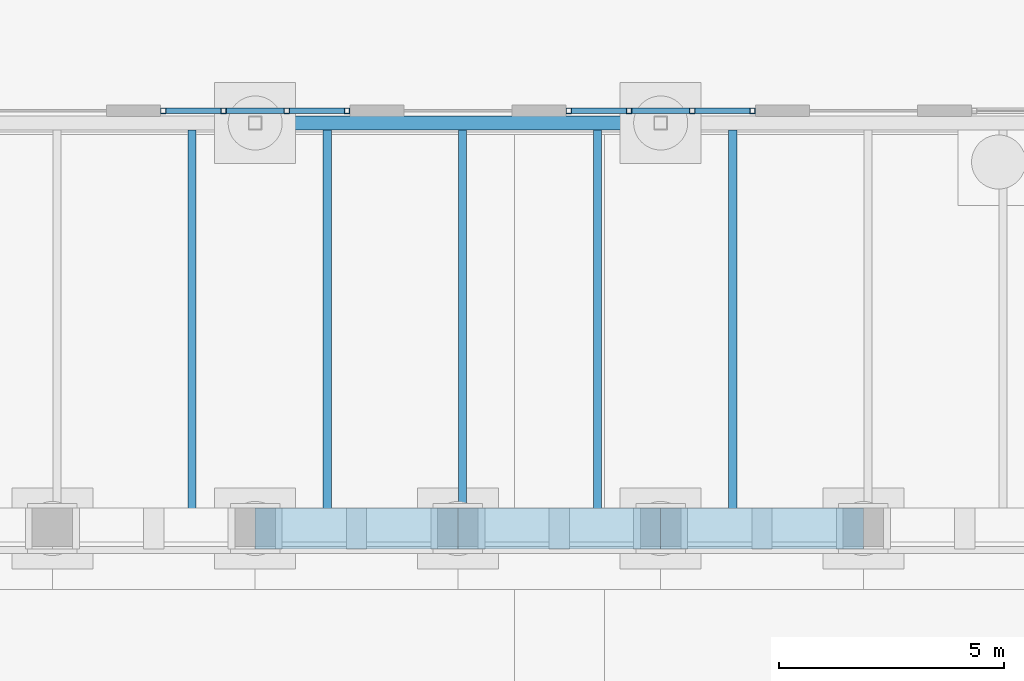
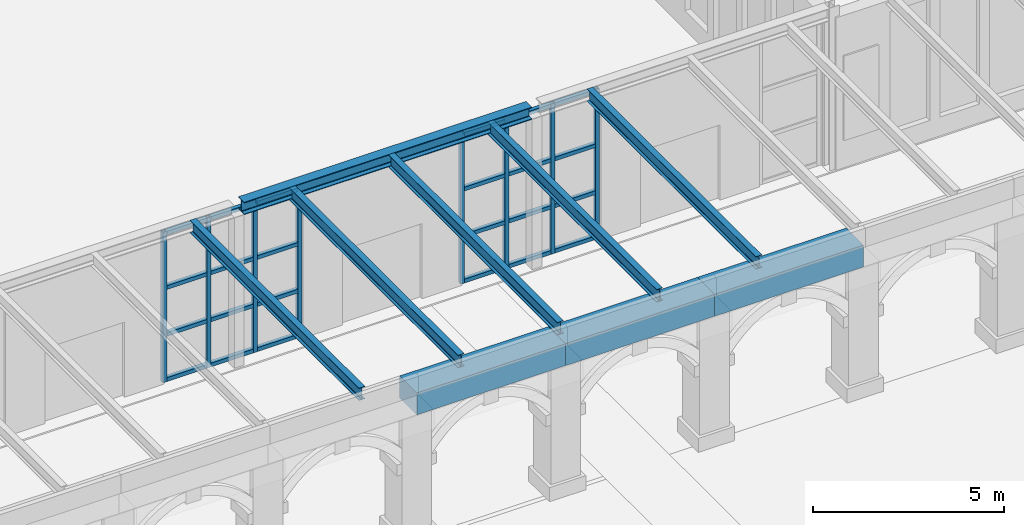
# One storey, part 42 of 168: 32 members, 9 beams, 2 elements without a shape of their own.
"""IFC4 building model written with IfcOpenShell, lengths in metres."""

from ifc_helpers import new_model, si_unit, direction, frame, origin, origin_2d, place, context, subcontext, project, spatial, rectangle, hollow_rectangle, i_section, extrude, material, material_profile, profile_set, type_object, element, aggregate, save


model = new_model("IFC4")

# Units and contexts
model_context = context("Model", 3, precision=1e-05, world=origin(), true_north=direction((0.0, 1.0)))
body_context = subcontext(model_context, "Body", "Model", "MODEL_VIEW")
ifc_project = project(units=[si_unit("LENGTHUNIT", "METRE"), si_unit("AREAUNIT", "SQUARE_METRE"), si_unit("VOLUMEUNIT", "CUBIC_METRE"), si_unit("PLANEANGLEUNIT", "RADIAN"), si_unit("MASSUNIT", "GRAM", prefix="KILO")], contexts=[model_context])

# Site, building, storey
site_placement = place(None, origin())
site = spatial("IfcSite", under=ifc_project, at=site_placement, CompositionType="ELEMENT")
building_placement = place(site_placement, origin())
building = spatial("IfcBuilding", under=site, at=building_placement, Name="Golden Quay Civic Hall", CompositionType="ELEMENT")
storey_placement = place(building_placement, origin())
storey = spatial("IfcBuildingStorey", under=building, at=storey_placement, Name="L00", CompositionType="ELEMENT", Elevation=0.0)

# Beams
ifc_material_1 = material(Name="Concrete C40/50", Category="concrete")
ifc_material_profile_1 = material_profile(ifc_material_1, rectangle(XDim=0.89990234375, YDim=0.699951171875, at=origin_2d()), Name="RC 900x700")
ifc_profile_set_1 = profile_set([ifc_material_profile_1], Name="Concrete C40/50")
beam_type_1 = type_object("IfcBeamType", Name="Concrete spandrel beam RC 900x700", PredefinedType="SPANDREL", material=ifc_profile_set_1)
for number, where, z_axis, x_axis, name in (
    (1, (81.0, -9.0, 4.449951171875), (1.0, 0.0, 0.0), (0.0, 1.0, 0.0), "Spandrel beam outer bay 15"),
    (2, (85.5, -9.0, 4.449951171875), (1.0, 0.0, 0.0), (0.0, 1.0, 0.0), "Spandrel beam outer bay 16"),
    (3, (90.0, -9.0, 4.449951171875), (1.0, 0.0, 0.0), (0.0, 1.0, 0.0), "Spandrel beam outer bay 17"),
):
    element("IfcBeam", number, at=place(storey_placement, frame(where, z_axis=z_axis, x_axis=x_axis)), inside=storey, type_object=beam_type_1, Name=name, PredefinedType="SPANDREL", context=body_context, shape_type="SweptSolid", body=[
        extrude(rectangle(XDim=0.89990234375, YDim=0.699951171875, at=origin_2d()), origin(), (0.0, 0.0, 1.0), 4.5),
    ])
ifc_material_2 = material(Name="Steel S355", Category="steel")
ifc_material_profile_2 = material_profile(ifc_material_2, i_section(OverallWidth=0.300048828125, OverallDepth=0.39990234375, WebThickness=0.013427734375, FlangeThickness=0.02392578125, FilletRadius=0.027099609375, at=origin_2d()), Name="HEB 400")
ifc_profile_set_2 = profile_set([ifc_material_profile_2], Name="Steel S355")
beam_type_2 = type_object("IfcBeamType", Name="Steel girder HEB 400", PredefinedType="BEAM", material=ifc_profile_set_2)
beam_placement = place(storey_placement, frame((81.14990234375, 0.0, 5.0), z_axis=(1.0, 0.0, 0.0), x_axis=(0.0, 1.0, 0.0)))
element("IfcBeam", 4, at=beam_placement, inside=storey, type_object=beam_type_2, Name="Entrance girder 2", PredefinedType="BEAM", context=body_context, shape_type="SweptSolid", body=[
    extrude(i_section(OverallWidth=0.300048828125, OverallDepth=0.39990234375, WebThickness=0.013427734375, FlangeThickness=0.02392578125, FilletRadius=0.027099609375, at=origin_2d()), origin(), (0.0, 0.0, 1.0), 8.7001953125),
])

# Curtain wall, members
ifc_material_3 = material(Name="Glass and aluminium", Category="aluminium")
curtain_wall_type = type_object("IfcCurtainWallType", Name="Glazed curtain wall 1500 module", PredefinedType="NOTDEFINED", material=ifc_material_3)
curtain_wall_1_placement = place(storey_placement, origin())
curtain_wall_1 = element("IfcCurtainWall", 5, at=curtain_wall_1_placement, inside=storey, type_object=curtain_wall_type, Name="CW1 curtain wall", PredefinedType="NOTDEFINED")
ifc_material_4 = material(Name="Steel S355", Category="steel")
ifc_material_profile_3 = material_profile(ifc_material_4, hollow_rectangle(XDim=0.1201171875, YDim=0.1201171875, WallThickness=0.008056640625, at=origin_2d()), Name="SHS 120x120x8")
ifc_profile_set_3 = profile_set([ifc_material_profile_3], Name="Steel S355")
member_type_1 = type_object("IfcMemberType", Name="Steel mullion SHS 120x120x8", PredefinedType="MULLION", material=ifc_profile_set_3)
member_1_placement = place(storey_placement, frame((78.9599609375, 0.27001953125, 0.0), z_axis=(0.0, 0.0, 1.0), x_axis=(0.0, 1.0, 0.0)))
member_1 = element("IfcMember", 6, at=member_1_placement, type_object=member_type_1, Name="CW1 mullion 1", PredefinedType="MULLION", context=body_context, shape_type="SweptSolid", body=[
    extrude(hollow_rectangle(XDim=0.1201171875, YDim=0.1201171875, WallThickness=0.008056640625, at=origin_2d()), origin(), (0.0, 0.0, 1.0), 4.800048828125),
])
member_2_placement = place(storey_placement, frame((80.300048828125, 0.27001953125, 0.0), z_axis=(0.0, 0.0, 1.0), x_axis=(0.0, 1.0, 0.0)))
member_2 = element("IfcMember", 7, at=member_2_placement, type_object=member_type_1, Name="CW1 mullion 2", PredefinedType="MULLION", context=body_context, shape_type="SweptSolid", body=[
    extrude(hollow_rectangle(XDim=0.1201171875, YDim=0.1201171875, WallThickness=0.008056640625, at=origin_2d()), origin(), (0.0, 0.0, 1.0), 4.800048828125),
])
member_3_placement = place(storey_placement, frame((81.699951171875, 0.27001953125, 0.0), z_axis=(0.0, 0.0, 1.0), x_axis=(0.0, 1.0, 0.0)))
member_3 = element("IfcMember", 8, at=member_3_placement, type_object=member_type_1, Name="CW1 mullion 3", PredefinedType="MULLION", context=body_context, shape_type="SweptSolid", body=[
    extrude(hollow_rectangle(XDim=0.1201171875, YDim=0.1201171875, WallThickness=0.008056640625, at=origin_2d()), origin(), (0.0, 0.0, 1.0), 4.800048828125),
])
member_4_placement = place(storey_placement, frame((83.0400390625, 0.27001953125, 0.0), z_axis=(0.0, 0.0, 1.0), x_axis=(0.0, 1.0, 0.0)))
member_4 = element("IfcMember", 9, at=member_4_placement, type_object=member_type_1, Name="CW1 mullion 4", PredefinedType="MULLION", context=body_context, shape_type="SweptSolid", body=[
    extrude(hollow_rectangle(XDim=0.1201171875, YDim=0.1201171875, WallThickness=0.008056640625, at=origin_2d()), origin(), (0.0, 0.0, 1.0), 4.800048828125),
])

curtain_wall_2_placement = place(storey_placement, origin())
curtain_wall_2 = element("IfcCurtainWall", 10, at=curtain_wall_2_placement, inside=storey, type_object=curtain_wall_type, Name="CW1 curtain wall", PredefinedType="NOTDEFINED")
member_5_placement = place(storey_placement, frame((87.9599609375, 0.27001953125, 0.0), z_axis=(0.0, 0.0, 1.0), x_axis=(0.0, 1.0, 0.0)))
member_5 = element("IfcMember", 11, at=member_5_placement, type_object=member_type_1, Name="CW1 mullion 1", PredefinedType="MULLION", context=body_context, shape_type="SweptSolid", body=[
    extrude(hollow_rectangle(XDim=0.1201171875, YDim=0.1201171875, WallThickness=0.008056640625, at=origin_2d()), origin(), (0.0, 0.0, 1.0), 4.800048828125),
])
member_6_placement = place(storey_placement, frame((89.300048828125, 0.27001953125, 0.0), z_axis=(0.0, 0.0, 1.0), x_axis=(0.0, 1.0, 0.0)))
member_6 = element("IfcMember", 12, at=member_6_placement, type_object=member_type_1, Name="CW1 mullion 2", PredefinedType="MULLION", context=body_context, shape_type="SweptSolid", body=[
    extrude(hollow_rectangle(XDim=0.1201171875, YDim=0.1201171875, WallThickness=0.008056640625, at=origin_2d()), origin(), (0.0, 0.0, 1.0), 4.800048828125),
])
member_7_placement = place(storey_placement, frame((90.699951171875, 0.27001953125, 0.0), z_axis=(0.0, 0.0, 1.0), x_axis=(0.0, 1.0, 0.0)))
member_7 = element("IfcMember", 13, at=member_7_placement, type_object=member_type_1, Name="CW1 mullion 3", PredefinedType="MULLION", context=body_context, shape_type="SweptSolid", body=[
    extrude(hollow_rectangle(XDim=0.1201171875, YDim=0.1201171875, WallThickness=0.008056640625, at=origin_2d()), origin(), (0.0, 0.0, 1.0), 4.800048828125),
])
member_8_placement = place(storey_placement, frame((92.0400390625, 0.27001953125, 0.0), z_axis=(0.0, 0.0, 1.0), x_axis=(0.0, 1.0, 0.0)))
member_8 = element("IfcMember", 14, at=member_8_placement, type_object=member_type_1, Name="CW1 mullion 4", PredefinedType="MULLION", context=body_context, shape_type="SweptSolid", body=[
    extrude(hollow_rectangle(XDim=0.1201171875, YDim=0.1201171875, WallThickness=0.008056640625, at=origin_2d()), origin(), (0.0, 0.0, 1.0), 4.800048828125),
])

# Beams
ifc_material_5 = material(Name="Steel S355", Category="steel")
ifc_material_profile_4 = material_profile(ifc_material_5, i_section(OverallWidth=0.179931640625, OverallDepth=0.39990234375, WebThickness=0.008544921875, FlangeThickness=0.013427734375, FilletRadius=0.02099609375, at=origin_2d()), Name="IPE 400")
ifc_profile_set_4 = profile_set([ifc_material_profile_4], Name="Steel S355")
beam_type_3 = type_object("IfcBeamType", Name="Steel terrace beam IPE 400", PredefinedType="JOIST", material=ifc_profile_set_4)
for number, where, z_axis, x_axis, name in (
    (15, (79.60009765625, -9.0, 5.0), (0.0, 1.0, 0.0), (-1.0, 0.0, 0.0), "Terrace beam 20"),
    (16, (82.60009765625, -9.0, 5.0), (0.0, 1.0, 0.0), (-1.0, 0.0, 0.0), "Terrace beam 21"),
    (17, (85.60009765625, -9.0, 5.0), (0.0, 1.0, 0.0), (-1.0, 0.0, 0.0), "Terrace beam 22"),
    (18, (88.60009765625, -9.0, 5.0), (0.0, 1.0, 0.0), (-1.0, 0.0, 0.0), "Terrace beam 23"),
    (19, (91.60009765625, -9.0, 5.0), (0.0, 1.0, 0.0), (-1.0, 0.0, 0.0), "Terrace beam 24"),
):
    element("IfcBeam", number, at=place(storey_placement, frame(where, z_axis=z_axis, x_axis=x_axis)), inside=storey, type_object=beam_type_3, Name=name, PredefinedType="JOIST", context=body_context, shape_type="SweptSolid", body=[
        extrude(i_section(OverallWidth=0.179931640625, OverallDepth=0.39990234375, WebThickness=0.008544921875, FlangeThickness=0.013427734375, FilletRadius=0.02099609375, at=origin_2d()), origin(), (0.0, 0.0, 1.0), 8.85009765625),
    ])

# Member
ifc_material_6 = material(Name="Steel S355", Category="steel")
ifc_material_profile_5 = material_profile(ifc_material_6, hollow_rectangle(XDim=0.1201171875, YDim=0.1201171875, WallThickness=0.008056640625, at=origin_2d()), Name="SHS 120x120x8")
ifc_profile_set_5 = profile_set([ifc_material_profile_5], Name="Steel S355")
member_type_2 = type_object("IfcMemberType", Name="Steel transom SHS 120x120x8", PredefinedType="USERDEFINED", material=ifc_profile_set_5)
member_9_placement = place(storey_placement, frame((79.02001953125, 0.27001953125, 0.06005859375), z_axis=(1.0, 0.0, 0.0), x_axis=(0.0, 1.0, 0.0)))
member_9 = element("IfcMember", 20, at=member_9_placement, type_object=member_type_2, Name="CW1 transom 1.1", ObjectType="TRANSOM", PredefinedType="USERDEFINED", context=body_context, shape_type="SweptSolid", body=[
    extrude(hollow_rectangle(XDim=0.1201171875, YDim=0.1201171875, WallThickness=0.008056640625, at=origin_2d()), origin(), (0.0, 0.0, 1.0), 1.219970703125),
])

member_10_placement = place(storey_placement, frame((79.02001953125, 0.27001953125, 1.5), z_axis=(1.0, 0.0, 0.0), x_axis=(0.0, 1.0, 0.0)))
member_10 = element("IfcMember", 21, at=member_10_placement, type_object=member_type_2, Name="CW1 transom 1.2", ObjectType="TRANSOM", PredefinedType="USERDEFINED", context=body_context, shape_type="SweptSolid", body=[
    extrude(hollow_rectangle(XDim=0.1201171875, YDim=0.1201171875, WallThickness=0.008056640625, at=origin_2d()), origin(), (0.0, 0.0, 1.0), 1.219970703125),
])

member_11_placement = place(storey_placement, frame((79.02001953125, 0.27001953125, 3.0), z_axis=(1.0, 0.0, 0.0), x_axis=(0.0, 1.0, 0.0)))
member_11 = element("IfcMember", 22, at=member_11_placement, type_object=member_type_2, Name="CW1 transom 1.3", ObjectType="TRANSOM", PredefinedType="USERDEFINED", context=body_context, shape_type="SweptSolid", body=[
    extrude(hollow_rectangle(XDim=0.1201171875, YDim=0.1201171875, WallThickness=0.008056640625, at=origin_2d()), origin(), (0.0, 0.0, 1.0), 1.219970703125),
])

member_12_placement = place(storey_placement, frame((79.02001953125, 0.27001953125, 4.739990234375), z_axis=(1.0, 0.0, 0.0), x_axis=(0.0, 1.0, 0.0)))
member_12 = element("IfcMember", 23, at=member_12_placement, type_object=member_type_2, Name="CW1 transom 1.4", ObjectType="TRANSOM", PredefinedType="USERDEFINED", context=body_context, shape_type="SweptSolid", body=[
    extrude(hollow_rectangle(XDim=0.1201171875, YDim=0.1201171875, WallThickness=0.008056640625, at=origin_2d()), origin(), (0.0, 0.0, 1.0), 1.219970703125),
])

member_13_placement = place(storey_placement, frame((80.360107421875, 0.27001953125, 0.06005859375), z_axis=(1.0, 0.0, 0.0), x_axis=(0.0, 1.0, 0.0)))
member_13 = element("IfcMember", 24, at=member_13_placement, type_object=member_type_2, Name="CW1 transom 2.1", ObjectType="TRANSOM", PredefinedType="USERDEFINED", context=body_context, shape_type="SweptSolid", body=[
    extrude(hollow_rectangle(XDim=0.1201171875, YDim=0.1201171875, WallThickness=0.008056640625, at=origin_2d()), origin(), (0.0, 0.0, 1.0), 1.27978515625),
])

member_14_placement = place(storey_placement, frame((80.360107421875, 0.27001953125, 1.5), z_axis=(1.0, 0.0, 0.0), x_axis=(0.0, 1.0, 0.0)))
member_14 = element("IfcMember", 25, at=member_14_placement, type_object=member_type_2, Name="CW1 transom 2.2", ObjectType="TRANSOM", PredefinedType="USERDEFINED", context=body_context, shape_type="SweptSolid", body=[
    extrude(hollow_rectangle(XDim=0.1201171875, YDim=0.1201171875, WallThickness=0.008056640625, at=origin_2d()), origin(), (0.0, 0.0, 1.0), 1.27978515625),
])

member_15_placement = place(storey_placement, frame((80.360107421875, 0.27001953125, 3.0), z_axis=(1.0, 0.0, 0.0), x_axis=(0.0, 1.0, 0.0)))
member_15 = element("IfcMember", 26, at=member_15_placement, type_object=member_type_2, Name="CW1 transom 2.3", ObjectType="TRANSOM", PredefinedType="USERDEFINED", context=body_context, shape_type="SweptSolid", body=[
    extrude(hollow_rectangle(XDim=0.1201171875, YDim=0.1201171875, WallThickness=0.008056640625, at=origin_2d()), origin(), (0.0, 0.0, 1.0), 1.27978515625),
])

member_16_placement = place(storey_placement, frame((80.360107421875, 0.27001953125, 4.739990234375), z_axis=(1.0, 0.0, 0.0), x_axis=(0.0, 1.0, 0.0)))
member_16 = element("IfcMember", 27, at=member_16_placement, type_object=member_type_2, Name="CW1 transom 2.4", ObjectType="TRANSOM", PredefinedType="USERDEFINED", context=body_context, shape_type="SweptSolid", body=[
    extrude(hollow_rectangle(XDim=0.1201171875, YDim=0.1201171875, WallThickness=0.008056640625, at=origin_2d()), origin(), (0.0, 0.0, 1.0), 1.27978515625),
])

member_17_placement = place(storey_placement, frame((81.760009765625, 0.27001953125, 0.06005859375), z_axis=(1.0, 0.0, 0.0), x_axis=(0.0, 1.0, 0.0)))
member_17 = element("IfcMember", 28, at=member_17_placement, type_object=member_type_2, Name="CW1 transom 3.1", ObjectType="TRANSOM", PredefinedType="USERDEFINED", context=body_context, shape_type="SweptSolid", body=[
    extrude(hollow_rectangle(XDim=0.1201171875, YDim=0.1201171875, WallThickness=0.008056640625, at=origin_2d()), origin(), (0.0, 0.0, 1.0), 1.219970703125),
])

member_18_placement = place(storey_placement, frame((81.760009765625, 0.27001953125, 1.5), z_axis=(1.0, 0.0, 0.0), x_axis=(0.0, 1.0, 0.0)))
member_18 = element("IfcMember", 29, at=member_18_placement, type_object=member_type_2, Name="CW1 transom 3.2", ObjectType="TRANSOM", PredefinedType="USERDEFINED", context=body_context, shape_type="SweptSolid", body=[
    extrude(hollow_rectangle(XDim=0.1201171875, YDim=0.1201171875, WallThickness=0.008056640625, at=origin_2d()), origin(), (0.0, 0.0, 1.0), 1.219970703125),
])

member_19_placement = place(storey_placement, frame((81.760009765625, 0.27001953125, 3.0), z_axis=(1.0, 0.0, 0.0), x_axis=(0.0, 1.0, 0.0)))
member_19 = element("IfcMember", 30, at=member_19_placement, type_object=member_type_2, Name="CW1 transom 3.3", ObjectType="TRANSOM", PredefinedType="USERDEFINED", context=body_context, shape_type="SweptSolid", body=[
    extrude(hollow_rectangle(XDim=0.1201171875, YDim=0.1201171875, WallThickness=0.008056640625, at=origin_2d()), origin(), (0.0, 0.0, 1.0), 1.219970703125),
])

member_20_placement = place(storey_placement, frame((81.760009765625, 0.27001953125, 4.739990234375), z_axis=(1.0, 0.0, 0.0), x_axis=(0.0, 1.0, 0.0)))
member_20 = element("IfcMember", 31, at=member_20_placement, type_object=member_type_2, Name="CW1 transom 3.4", ObjectType="TRANSOM", PredefinedType="USERDEFINED", context=body_context, shape_type="SweptSolid", body=[
    extrude(hollow_rectangle(XDim=0.1201171875, YDim=0.1201171875, WallThickness=0.008056640625, at=origin_2d()), origin(), (0.0, 0.0, 1.0), 1.219970703125),
])

aggregate(curtain_wall_1, [member_1, member_2, member_3, member_4, member_9, member_10, member_11, member_12, member_13, member_14, member_15, member_16, member_17, member_18, member_19, member_20])

member_21_placement = place(storey_placement, frame((88.02001953125, 0.27001953125, 0.06005859375), z_axis=(1.0, 0.0, 0.0), x_axis=(0.0, 1.0, 0.0)))
member_21 = element("IfcMember", 32, at=member_21_placement, type_object=member_type_2, Name="CW1 transom 1.1", ObjectType="TRANSOM", PredefinedType="USERDEFINED", context=body_context, shape_type="SweptSolid", body=[
    extrude(hollow_rectangle(XDim=0.1201171875, YDim=0.1201171875, WallThickness=0.008056640625, at=origin_2d()), origin(), (0.0, 0.0, 1.0), 1.219970703125),
])

member_22_placement = place(storey_placement, frame((88.02001953125, 0.27001953125, 1.5), z_axis=(1.0, 0.0, 0.0), x_axis=(0.0, 1.0, 0.0)))
member_22 = element("IfcMember", 33, at=member_22_placement, type_object=member_type_2, Name="CW1 transom 1.2", ObjectType="TRANSOM", PredefinedType="USERDEFINED", context=body_context, shape_type="SweptSolid", body=[
    extrude(hollow_rectangle(XDim=0.1201171875, YDim=0.1201171875, WallThickness=0.008056640625, at=origin_2d()), origin(), (0.0, 0.0, 1.0), 1.219970703125),
])

member_23_placement = place(storey_placement, frame((88.02001953125, 0.27001953125, 3.0), z_axis=(1.0, 0.0, 0.0), x_axis=(0.0, 1.0, 0.0)))
member_23 = element("IfcMember", 34, at=member_23_placement, type_object=member_type_2, Name="CW1 transom 1.3", ObjectType="TRANSOM", PredefinedType="USERDEFINED", context=body_context, shape_type="SweptSolid", body=[
    extrude(hollow_rectangle(XDim=0.1201171875, YDim=0.1201171875, WallThickness=0.008056640625, at=origin_2d()), origin(), (0.0, 0.0, 1.0), 1.219970703125),
])

member_24_placement = place(storey_placement, frame((88.02001953125, 0.27001953125, 4.739990234375), z_axis=(1.0, 0.0, 0.0), x_axis=(0.0, 1.0, 0.0)))
member_24 = element("IfcMember", 35, at=member_24_placement, type_object=member_type_2, Name="CW1 transom 1.4", ObjectType="TRANSOM", PredefinedType="USERDEFINED", context=body_context, shape_type="SweptSolid", body=[
    extrude(hollow_rectangle(XDim=0.1201171875, YDim=0.1201171875, WallThickness=0.008056640625, at=origin_2d()), origin(), (0.0, 0.0, 1.0), 1.219970703125),
])

member_25_placement = place(storey_placement, frame((89.360107421875, 0.27001953125, 0.06005859375), z_axis=(1.0, 0.0, 0.0), x_axis=(0.0, 1.0, 0.0)))
member_25 = element("IfcMember", 36, at=member_25_placement, type_object=member_type_2, Name="CW1 transom 2.1", ObjectType="TRANSOM", PredefinedType="USERDEFINED", context=body_context, shape_type="SweptSolid", body=[
    extrude(hollow_rectangle(XDim=0.1201171875, YDim=0.1201171875, WallThickness=0.008056640625, at=origin_2d()), origin(), (0.0, 0.0, 1.0), 1.27978515625),
])

member_26_placement = place(storey_placement, frame((89.360107421875, 0.27001953125, 1.5), z_axis=(1.0, 0.0, 0.0), x_axis=(0.0, 1.0, 0.0)))
member_26 = element("IfcMember", 37, at=member_26_placement, type_object=member_type_2, Name="CW1 transom 2.2", ObjectType="TRANSOM", PredefinedType="USERDEFINED", context=body_context, shape_type="SweptSolid", body=[
    extrude(hollow_rectangle(XDim=0.1201171875, YDim=0.1201171875, WallThickness=0.008056640625, at=origin_2d()), origin(), (0.0, 0.0, 1.0), 1.27978515625),
])

member_27_placement = place(storey_placement, frame((89.360107421875, 0.27001953125, 3.0), z_axis=(1.0, 0.0, 0.0), x_axis=(0.0, 1.0, 0.0)))
member_27 = element("IfcMember", 38, at=member_27_placement, type_object=member_type_2, Name="CW1 transom 2.3", ObjectType="TRANSOM", PredefinedType="USERDEFINED", context=body_context, shape_type="SweptSolid", body=[
    extrude(hollow_rectangle(XDim=0.1201171875, YDim=0.1201171875, WallThickness=0.008056640625, at=origin_2d()), origin(), (0.0, 0.0, 1.0), 1.27978515625),
])

member_28_placement = place(storey_placement, frame((89.360107421875, 0.27001953125, 4.739990234375), z_axis=(1.0, 0.0, 0.0), x_axis=(0.0, 1.0, 0.0)))
member_28 = element("IfcMember", 39, at=member_28_placement, type_object=member_type_2, Name="CW1 transom 2.4", ObjectType="TRANSOM", PredefinedType="USERDEFINED", context=body_context, shape_type="SweptSolid", body=[
    extrude(hollow_rectangle(XDim=0.1201171875, YDim=0.1201171875, WallThickness=0.008056640625, at=origin_2d()), origin(), (0.0, 0.0, 1.0), 1.27978515625),
])

member_29_placement = place(storey_placement, frame((90.760009765625, 0.27001953125, 0.06005859375), z_axis=(1.0, 0.0, 0.0), x_axis=(0.0, 1.0, 0.0)))
member_29 = element("IfcMember", 40, at=member_29_placement, type_object=member_type_2, Name="CW1 transom 3.1", ObjectType="TRANSOM", PredefinedType="USERDEFINED", context=body_context, shape_type="SweptSolid", body=[
    extrude(hollow_rectangle(XDim=0.1201171875, YDim=0.1201171875, WallThickness=0.008056640625, at=origin_2d()), origin(), (0.0, 0.0, 1.0), 1.219970703125),
])

member_30_placement = place(storey_placement, frame((90.760009765625, 0.27001953125, 1.5), z_axis=(1.0, 0.0, 0.0), x_axis=(0.0, 1.0, 0.0)))
member_30 = element("IfcMember", 41, at=member_30_placement, type_object=member_type_2, Name="CW1 transom 3.2", ObjectType="TRANSOM", PredefinedType="USERDEFINED", context=body_context, shape_type="SweptSolid", body=[
    extrude(hollow_rectangle(XDim=0.1201171875, YDim=0.1201171875, WallThickness=0.008056640625, at=origin_2d()), origin(), (0.0, 0.0, 1.0), 1.219970703125),
])

member_31_placement = place(storey_placement, frame((90.760009765625, 0.27001953125, 3.0), z_axis=(1.0, 0.0, 0.0), x_axis=(0.0, 1.0, 0.0)))
member_31 = element("IfcMember", 42, at=member_31_placement, type_object=member_type_2, Name="CW1 transom 3.3", ObjectType="TRANSOM", PredefinedType="USERDEFINED", context=body_context, shape_type="SweptSolid", body=[
    extrude(hollow_rectangle(XDim=0.1201171875, YDim=0.1201171875, WallThickness=0.008056640625, at=origin_2d()), origin(), (0.0, 0.0, 1.0), 1.219970703125),
])

member_32_placement = place(storey_placement, frame((90.760009765625, 0.27001953125, 4.739990234375), z_axis=(1.0, 0.0, 0.0), x_axis=(0.0, 1.0, 0.0)))
member_32 = element("IfcMember", 43, at=member_32_placement, type_object=member_type_2, Name="CW1 transom 3.4", ObjectType="TRANSOM", PredefinedType="USERDEFINED", context=body_context, shape_type="SweptSolid", body=[
    extrude(hollow_rectangle(XDim=0.1201171875, YDim=0.1201171875, WallThickness=0.008056640625, at=origin_2d()), origin(), (0.0, 0.0, 1.0), 1.219970703125),
])

aggregate(curtain_wall_2, [member_5, member_6, member_7, member_8, member_21, member_22, member_23, member_24, member_25, member_26, member_27, member_28, member_29, member_30, member_31, member_32])

save(model, "model.ifc")
